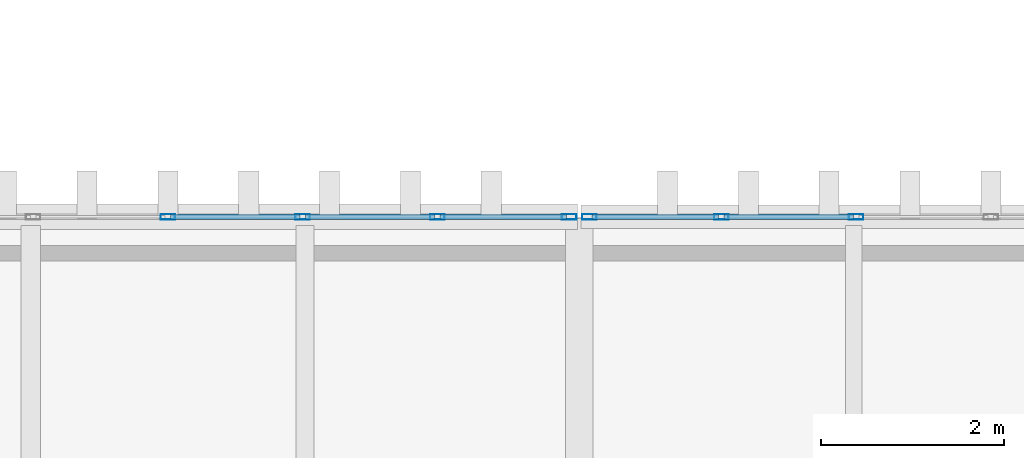
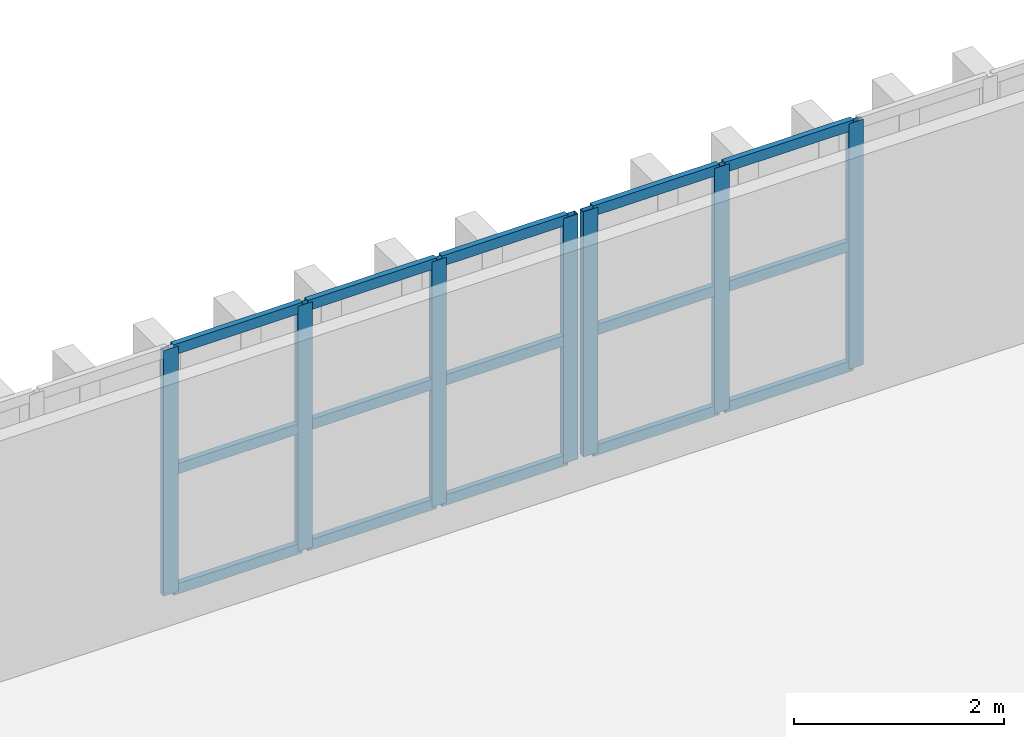
# One storey, part 44 of 102: 22 members, 2 elements without a shape of their own.
"""IFC4 building model written with IfcOpenShell, lengths in metres."""

from ifc_helpers import new_model, si_unit, direction, frame, origin, origin_2d, place, context, subcontext, project, spatial, hollow_rectangle, extrude, material, layer, layer_set, material_profile, profile_set, type_object, element, aggregate, save


model = new_model("IFC4")

# Units and contexts
model_context = context("Model", 3, precision=1e-05, world=origin(), true_north=direction((0.0, 1.0)))
body_context = subcontext(model_context, "Body", "Model", "MODEL_VIEW")
ifc_project = project(units=[si_unit("LENGTHUNIT", "METRE"), si_unit("AREAUNIT", "SQUARE_METRE"), si_unit("VOLUMEUNIT", "CUBIC_METRE"), si_unit("PLANEANGLEUNIT", "RADIAN"), si_unit("MASSUNIT", "GRAM", prefix="KILO")], contexts=[model_context])

# Site, building, storey
site_placement = place(None, origin())
site = spatial("IfcSite", under=ifc_project, at=site_placement, CompositionType="ELEMENT")
building_placement = place(site_placement, origin())
building = spatial("IfcBuilding", under=site, at=building_placement, Name="Barlavento Convention Centre", CompositionType="ELEMENT")
storey_placement = place(building_placement, frame((0.0, 0.0, 22.800048828125)))
storey = spatial("IfcBuildingStorey", under=building, at=storey_placement, Name="L04", CompositionType="ELEMENT", Elevation=22.800048828125)

# Curtain wall, members
ifc_material_1 = material(Name="Powder-coated aluminium and Low-E glass", Category="aluminium")
ifc_layer = layer(ifc_material_1, 0.179931640625)
ifc_layer_set = layer_set([ifc_layer], Name="ARC-CW-PATIO-B")
curtain_wall_type = type_object("IfcCurtainWallType", Name="ARC-CW-PATIO-B", PredefinedType="NOTDEFINED", material=ifc_layer_set)
curtain_wall_1_placement = place(storey_placement, origin())
curtain_wall_1 = element("IfcCurtainWall", 1, at=curtain_wall_1_placement, inside=storey, type_object=curtain_wall_type, Name="L04 unitised curtain wall CW12", PredefinedType="NOTDEFINED")
ifc_material_2 = material(Name="Powder-coated aluminium", Category="aluminium")
ifc_material_profile_1 = material_profile(ifc_material_2, hollow_rectangle(XDim=0.06005859375, YDim=0.159912109375, WallThickness=0.00390625, at=origin_2d()), Name="AL-MULL 60x160x4")
ifc_profile_set_1 = profile_set([ifc_material_profile_1], Name="Powder-coated aluminium")
member_type_1 = type_object("IfcMemberType", Name="ARC-CWM-60X160", PredefinedType="MULLION", material=ifc_profile_set_1)
member_1_placement = place(storey_placement, frame((148.5, 63.0, 0.0), z_axis=(0.0, 0.0, 1.0), x_axis=(0.0, 1.0, 0.0)))
member_1 = element("IfcMember", 2, at=member_1_placement, type_object=member_type_1, Name="CW12 mullion 4", PredefinedType="MULLION", context=body_context, shape_type="SweptSolid", body=[
    extrude(hollow_rectangle(XDim=0.06005859375, YDim=0.159912109375, WallThickness=0.00390625, at=origin_2d()), origin(), (0.0, 0.0, 1.0), 2.849853515625),
])
member_2_placement = place(storey_placement, frame((149.973388671875, 63.0, 0.0), z_axis=(0.0, 0.0, 1.0), x_axis=(0.0, 1.0, 0.0)))
member_2 = element("IfcMember", 3, at=member_2_placement, type_object=member_type_1, Name="CW12 mullion 5", PredefinedType="MULLION", context=body_context, shape_type="SweptSolid", body=[
    extrude(hollow_rectangle(XDim=0.06005859375, YDim=0.159912109375, WallThickness=0.00390625, at=origin_2d()), origin(), (0.0, 0.0, 1.0), 2.849853515625),
])
member_3_placement = place(storey_placement, frame((151.44677734375, 63.0, 0.0), z_axis=(0.0, 0.0, 1.0), x_axis=(0.0, 1.0, 0.0)))
member_3 = element("IfcMember", 4, at=member_3_placement, type_object=member_type_1, Name="CW12 mullion 6", PredefinedType="MULLION", context=body_context, shape_type="SweptSolid", body=[
    extrude(hollow_rectangle(XDim=0.06005859375, YDim=0.159912109375, WallThickness=0.00390625, at=origin_2d()), origin(), (0.0, 0.0, 1.0), 2.849853515625),
])
member_4_placement = place(storey_placement, frame((152.889892578125, 63.0, 0.0), z_axis=(0.0, 0.0, 1.0), x_axis=(0.0, 1.0, 0.0)))
member_4 = element("IfcMember", 5, at=member_4_placement, type_object=member_type_1, Name="CW12 mullion 7", PredefinedType="MULLION", context=body_context, shape_type="SweptSolid", body=[
    extrude(hollow_rectangle(XDim=0.06005859375, YDim=0.159912109375, WallThickness=0.00390625, at=origin_2d()), origin(), (0.0, 0.0, 1.0), 2.849853515625),
])

curtain_wall_2_placement = place(storey_placement, origin())
curtain_wall_2 = element("IfcCurtainWall", 6, at=curtain_wall_2_placement, inside=storey, type_object=curtain_wall_type, Name="L04 unitised curtain wall CW12", PredefinedType="NOTDEFINED")
member_5_placement = place(storey_placement, frame((153.110107421875, 63.0, 0.0), z_axis=(0.0, 0.0, 1.0), x_axis=(0.0, 1.0, 0.0)))
member_5 = element("IfcMember", 7, at=member_5_placement, type_object=member_type_1, Name="CW12 mullion 1", PredefinedType="MULLION", context=body_context, shape_type="SweptSolid", body=[
    extrude(hollow_rectangle(XDim=0.06005859375, YDim=0.159912109375, WallThickness=0.00390625, at=origin_2d()), origin(), (0.0, 0.0, 1.0), 2.849853515625),
])
member_6_placement = place(storey_placement, frame((154.55322265625, 63.0, 0.0), z_axis=(0.0, 0.0, 1.0), x_axis=(0.0, 1.0, 0.0)))
member_6 = element("IfcMember", 8, at=member_6_placement, type_object=member_type_1, Name="CW12 mullion 2", PredefinedType="MULLION", context=body_context, shape_type="SweptSolid", body=[
    extrude(hollow_rectangle(XDim=0.06005859375, YDim=0.159912109375, WallThickness=0.00390625, at=origin_2d()), origin(), (0.0, 0.0, 1.0), 2.849853515625),
])
member_7_placement = place(storey_placement, frame((156.026611328125, 63.0, 0.0), z_axis=(0.0, 0.0, 1.0), x_axis=(0.0, 1.0, 0.0)))
member_7 = element("IfcMember", 9, at=member_7_placement, type_object=member_type_1, Name="CW12 mullion 3", PredefinedType="MULLION", context=body_context, shape_type="SweptSolid", body=[
    extrude(hollow_rectangle(XDim=0.06005859375, YDim=0.159912109375, WallThickness=0.00390625, at=origin_2d()), origin(), (0.0, 0.0, 1.0), 2.849853515625),
])

# Member
ifc_material_profile_2 = material_profile(ifc_material_2, hollow_rectangle(XDim=0.06005859375, YDim=0.1201171875, WallThickness=0.00390625, at=origin_2d()), Name="AL-TRAN 60x120x4")
ifc_profile_set_2 = profile_set([ifc_material_profile_2], Name="Powder-coated aluminium")
member_type_2 = type_object("IfcMemberType", Name="ARC-CWT-60X120", PredefinedType="USERDEFINED", material=ifc_profile_set_2)
member_8_placement = place(storey_placement, frame((148.530029296875, 63.0, 0.030029296875), z_axis=(1.0, 0.0, 0.0), x_axis=(0.0, 1.0, 0.0)))
member_8 = element("IfcMember", 10, at=member_8_placement, type_object=member_type_2, Name="CW12 transom 4.1", ObjectType="TRANSOM", PredefinedType="USERDEFINED", context=body_context, shape_type="SweptSolid", body=[
    extrude(hollow_rectangle(XDim=0.06005859375, YDim=0.1201171875, WallThickness=0.00390625, at=origin_2d()), origin(), (0.0, 0.0, 1.0), 1.413330078125),
])

member_9_placement = place(storey_placement, frame((148.530029296875, 63.0, 1.425048828125), z_axis=(1.0, 0.0, 0.0), x_axis=(0.0, 1.0, 0.0)))
member_9 = element("IfcMember", 11, at=member_9_placement, type_object=member_type_2, Name="CW12 transom 4.2", ObjectType="TRANSOM", PredefinedType="USERDEFINED", context=body_context, shape_type="SweptSolid", body=[
    extrude(hollow_rectangle(XDim=0.06005859375, YDim=0.1201171875, WallThickness=0.00390625, at=origin_2d()), origin(), (0.0, 0.0, 1.0), 1.413330078125),
])

member_10_placement = place(storey_placement, frame((148.530029296875, 63.0, 2.820068359375), z_axis=(1.0, 0.0, 0.0), x_axis=(0.0, 1.0, 0.0)))
member_10 = element("IfcMember", 12, at=member_10_placement, type_object=member_type_2, Name="CW12 transom 4.3", ObjectType="TRANSOM", PredefinedType="USERDEFINED", context=body_context, shape_type="SweptSolid", body=[
    extrude(hollow_rectangle(XDim=0.06005859375, YDim=0.1201171875, WallThickness=0.00390625, at=origin_2d()), origin(), (0.0, 0.0, 1.0), 1.413330078125),
])

member_11_placement = place(storey_placement, frame((150.00341796875, 63.0, 0.030029296875), z_axis=(1.0, 0.0, 0.0), x_axis=(0.0, 1.0, 0.0)))
member_11 = element("IfcMember", 13, at=member_11_placement, type_object=member_type_2, Name="CW12 transom 5.1", ObjectType="TRANSOM", PredefinedType="USERDEFINED", context=body_context, shape_type="SweptSolid", body=[
    extrude(hollow_rectangle(XDim=0.06005859375, YDim=0.1201171875, WallThickness=0.00390625, at=origin_2d()), origin(), (0.0, 0.0, 1.0), 1.413330078125),
])

member_12_placement = place(storey_placement, frame((150.00341796875, 63.0, 1.425048828125), z_axis=(1.0, 0.0, 0.0), x_axis=(0.0, 1.0, 0.0)))
member_12 = element("IfcMember", 14, at=member_12_placement, type_object=member_type_2, Name="CW12 transom 5.2", ObjectType="TRANSOM", PredefinedType="USERDEFINED", context=body_context, shape_type="SweptSolid", body=[
    extrude(hollow_rectangle(XDim=0.06005859375, YDim=0.1201171875, WallThickness=0.00390625, at=origin_2d()), origin(), (0.0, 0.0, 1.0), 1.413330078125),
])

member_13_placement = place(storey_placement, frame((150.00341796875, 63.0, 2.820068359375), z_axis=(1.0, 0.0, 0.0), x_axis=(0.0, 1.0, 0.0)))
member_13 = element("IfcMember", 15, at=member_13_placement, type_object=member_type_2, Name="CW12 transom 5.3", ObjectType="TRANSOM", PredefinedType="USERDEFINED", context=body_context, shape_type="SweptSolid", body=[
    extrude(hollow_rectangle(XDim=0.06005859375, YDim=0.1201171875, WallThickness=0.00390625, at=origin_2d()), origin(), (0.0, 0.0, 1.0), 1.413330078125),
])

member_14_placement = place(storey_placement, frame((151.4765625, 63.0, 0.030029296875), z_axis=(1.0, 0.0, 0.0), x_axis=(0.0, 1.0, 0.0)))
member_14 = element("IfcMember", 16, at=member_14_placement, type_object=member_type_2, Name="CW12 transom 6.1", ObjectType="TRANSOM", PredefinedType="USERDEFINED", context=body_context, shape_type="SweptSolid", body=[
    extrude(hollow_rectangle(XDim=0.06005859375, YDim=0.1201171875, WallThickness=0.00390625, at=origin_2d()), origin(), (0.0, 0.0, 1.0), 1.383544921875),
])

member_15_placement = place(storey_placement, frame((151.4765625, 63.0, 1.425048828125), z_axis=(1.0, 0.0, 0.0), x_axis=(0.0, 1.0, 0.0)))
member_15 = element("IfcMember", 17, at=member_15_placement, type_object=member_type_2, Name="CW12 transom 6.2", ObjectType="TRANSOM", PredefinedType="USERDEFINED", context=body_context, shape_type="SweptSolid", body=[
    extrude(hollow_rectangle(XDim=0.06005859375, YDim=0.1201171875, WallThickness=0.00390625, at=origin_2d()), origin(), (0.0, 0.0, 1.0), 1.383544921875),
])

member_16_placement = place(storey_placement, frame((151.4765625, 63.0, 2.820068359375), z_axis=(1.0, 0.0, 0.0), x_axis=(0.0, 1.0, 0.0)))
member_16 = element("IfcMember", 18, at=member_16_placement, type_object=member_type_2, Name="CW12 transom 6.3", ObjectType="TRANSOM", PredefinedType="USERDEFINED", context=body_context, shape_type="SweptSolid", body=[
    extrude(hollow_rectangle(XDim=0.06005859375, YDim=0.1201171875, WallThickness=0.00390625, at=origin_2d()), origin(), (0.0, 0.0, 1.0), 1.383544921875),
])

aggregate(curtain_wall_1, [member_1, member_2, member_3, member_4, member_8, member_9, member_10, member_11, member_12, member_13, member_14, member_15, member_16])

member_17_placement = place(storey_placement, frame((153.139892578125, 63.0, 0.030029296875), z_axis=(1.0, 0.0, 0.0), x_axis=(0.0, 1.0, 0.0)))
member_17 = element("IfcMember", 19, at=member_17_placement, type_object=member_type_2, Name="CW12 transom 1.1", ObjectType="TRANSOM", PredefinedType="USERDEFINED", context=body_context, shape_type="SweptSolid", body=[
    extrude(hollow_rectangle(XDim=0.06005859375, YDim=0.1201171875, WallThickness=0.00390625, at=origin_2d()), origin(), (0.0, 0.0, 1.0), 1.383544921875),
])

member_18_placement = place(storey_placement, frame((153.139892578125, 63.0, 1.425048828125), z_axis=(1.0, 0.0, 0.0), x_axis=(0.0, 1.0, 0.0)))
member_18 = element("IfcMember", 20, at=member_18_placement, type_object=member_type_2, Name="CW12 transom 1.2", ObjectType="TRANSOM", PredefinedType="USERDEFINED", context=body_context, shape_type="SweptSolid", body=[
    extrude(hollow_rectangle(XDim=0.06005859375, YDim=0.1201171875, WallThickness=0.00390625, at=origin_2d()), origin(), (0.0, 0.0, 1.0), 1.383544921875),
])

member_19_placement = place(storey_placement, frame((153.139892578125, 63.0, 2.820068359375), z_axis=(1.0, 0.0, 0.0), x_axis=(0.0, 1.0, 0.0)))
member_19 = element("IfcMember", 21, at=member_19_placement, type_object=member_type_2, Name="CW12 transom 1.3", ObjectType="TRANSOM", PredefinedType="USERDEFINED", context=body_context, shape_type="SweptSolid", body=[
    extrude(hollow_rectangle(XDim=0.06005859375, YDim=0.1201171875, WallThickness=0.00390625, at=origin_2d()), origin(), (0.0, 0.0, 1.0), 1.383544921875),
])

member_20_placement = place(storey_placement, frame((154.583251953125, 63.0, 0.030029296875), z_axis=(1.0, 0.0, 0.0), x_axis=(0.0, 1.0, 0.0)))
member_20 = element("IfcMember", 22, at=member_20_placement, type_object=member_type_2, Name="CW12 transom 2.1", ObjectType="TRANSOM", PredefinedType="USERDEFINED", context=body_context, shape_type="SweptSolid", body=[
    extrude(hollow_rectangle(XDim=0.06005859375, YDim=0.1201171875, WallThickness=0.00390625, at=origin_2d()), origin(), (0.0, 0.0, 1.0), 1.413330078125),
])

member_21_placement = place(storey_placement, frame((154.583251953125, 63.0, 1.425048828125), z_axis=(1.0, 0.0, 0.0), x_axis=(0.0, 1.0, 0.0)))
member_21 = element("IfcMember", 23, at=member_21_placement, type_object=member_type_2, Name="CW12 transom 2.2", ObjectType="TRANSOM", PredefinedType="USERDEFINED", context=body_context, shape_type="SweptSolid", body=[
    extrude(hollow_rectangle(XDim=0.06005859375, YDim=0.1201171875, WallThickness=0.00390625, at=origin_2d()), origin(), (0.0, 0.0, 1.0), 1.413330078125),
])

member_22_placement = place(storey_placement, frame((154.583251953125, 63.0, 2.820068359375), z_axis=(1.0, 0.0, 0.0), x_axis=(0.0, 1.0, 0.0)))
member_22 = element("IfcMember", 24, at=member_22_placement, type_object=member_type_2, Name="CW12 transom 2.3", ObjectType="TRANSOM", PredefinedType="USERDEFINED", context=body_context, shape_type="SweptSolid", body=[
    extrude(hollow_rectangle(XDim=0.06005859375, YDim=0.1201171875, WallThickness=0.00390625, at=origin_2d()), origin(), (0.0, 0.0, 1.0), 1.413330078125),
])

aggregate(curtain_wall_2, [member_5, member_6, member_7, member_17, member_18, member_19, member_20, member_21, member_22])

save(model, "model.ifc")
